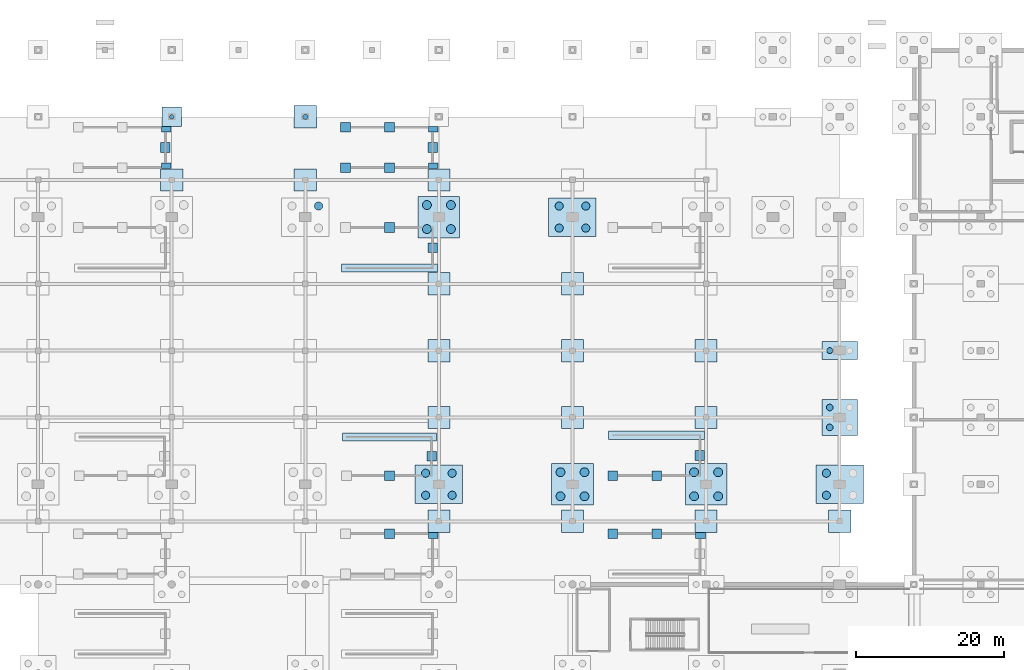
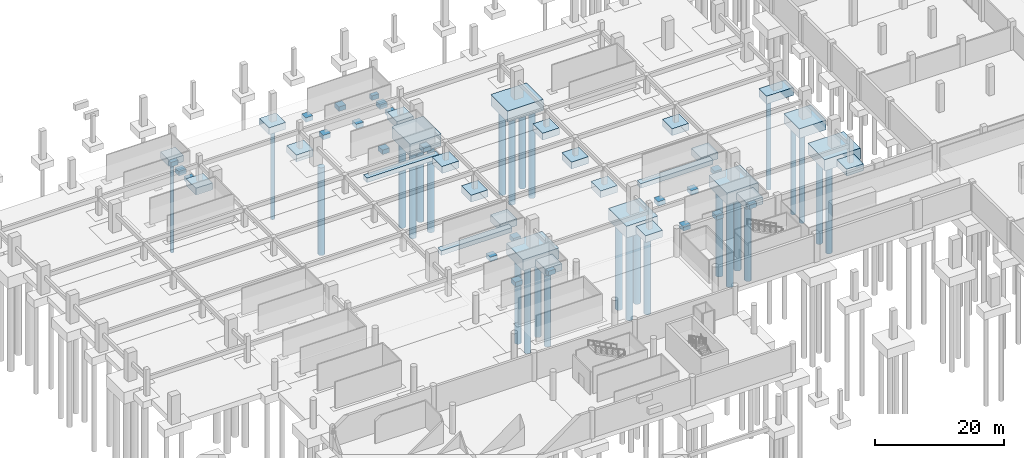
# One storey, part 4 of 26: 50 footings, 28 piles.
"""IFC4 building model written with IfcOpenShell, lengths in metres."""

from ifc_helpers import new_model, si_unit, direction, frame, origin, origin_2d, place, context, subcontext, project, spatial, polyline, circle, outline, extrude, material, material_profile, profile_set, type_object, element, save


model = new_model("IFC4")

# Units and contexts
model_context = context("Model", 3, precision=1e-05, world=origin(), true_north=direction((0.0, 1.0)))
body_context = subcontext(model_context, "Body", "Model", "MODEL_VIEW")
ifc_project = project(units=[si_unit("LENGTHUNIT", "METRE"), si_unit("AREAUNIT", "SQUARE_METRE"), si_unit("VOLUMEUNIT", "CUBIC_METRE"), si_unit("PLANEANGLEUNIT", "RADIAN"), si_unit("MASSUNIT", "GRAM", prefix="KILO")], contexts=[model_context])

# Site, building, storey
site_placement = place(None, origin())
site = spatial("IfcSite", under=ifc_project, at=site_placement, CompositionType="ELEMENT")
building_placement = place(site_placement, origin())
building = spatial("IfcBuilding", under=site, at=building_placement, Name="Chuanluo Vaults Station", CompositionType="ELEMENT")
storey_placement = place(building_placement, frame((0.0, 0.0, -5.39990234375)))
storey = spatial("IfcBuildingStorey", under=building, at=storey_placement, Name="B1", CompositionType="ELEMENT", Elevation=-5.39990234375)

# Footings
ifc_material_1 = material(Name="Concrete C40", Category="concrete")
footing_type_1 = type_object("IfcFootingType", Name="FTG-PAD-100", PredefinedType="PAD_FOOTING", material=ifc_material_1)
footing_1_placement = place(storey_placement, frame((0.0, 0.0, -0.85009765625)))
element("IfcFooting", 1, at=footing_1_placement, inside=storey, type_object=footing_type_1, Name="Stair shaft pad footing ST-08_R-1", PredefinedType="PAD_FOOTING", context=body_context, shape_type="SweptSolid", body=[
    extrude(outline(polyline([(70.60009765625, 60.199951171875), (71.89990234375, 60.199951171875), (71.89990234375, 60.97998046875), (70.60009765625, 60.97998046875), (70.60009765625, 60.199951171875)])), origin(), (0.0, 0.0, 1.0), 0.85009765625),
])
footing_2_placement = place(storey_placement, frame((0.0, 0.0, -0.85009765625)))
element("IfcFooting", 2, at=footing_2_placement, inside=storey, type_object=footing_type_1, Name="Stair shaft pad footing ST-08_R-2", PredefinedType="PAD_FOOTING", context=body_context, shape_type="SweptSolid", body=[
    extrude(outline(polyline([(64.6875, 60.199951171875), (65.987548828125, 60.199951171875), (65.987548828125, 61.5), (64.6875, 61.5), (64.6875, 60.199951171875)])), origin(), (0.0, 0.0, 1.0), 0.85009765625),
])
footing_3_placement = place(storey_placement, frame((0.0, 0.0, -0.85009765625)))
element("IfcFooting", 3, at=footing_3_placement, inside=storey, type_object=footing_type_1, Name="Stair shaft pad footing ST-09_R-1", PredefinedType="PAD_FOOTING", context=body_context, shape_type="SweptSolid", body=[
    extrude(outline(polyline([(106.60009765625, 60.199951171875), (107.89990234375, 60.199951171875), (107.89990234375, 60.97998046875), (106.60009765625, 60.97998046875), (106.60009765625, 60.199951171875)])), origin(), (0.0, 0.0, 1.0), 0.85009765625),
])
footing_4_placement = place(storey_placement, frame((0.0, 0.0, -0.85009765625)))
element("IfcFooting", 4, at=footing_4_placement, inside=storey, type_object=footing_type_1, Name="Stair shaft pad footing ST-09_R-2", PredefinedType="PAD_FOOTING", context=body_context, shape_type="SweptSolid", body=[
    extrude(outline(polyline([(100.6875, 60.199951171875), (101.987548828125, 60.199951171875), (101.987548828125, 61.5), (100.6875, 61.5), (100.6875, 60.199951171875)])), origin(), (0.0, 0.0, 1.0), 0.85009765625),
])
footing_5_placement = place(storey_placement, frame((0.0, 0.0, -0.85009765625)))
element("IfcFooting", 5, at=footing_5_placement, inside=storey, type_object=footing_type_1, Name="Stair shaft pad footing ST-09_R-3", PredefinedType="PAD_FOOTING", context=body_context, shape_type="SweptSolid", body=[
    extrude(outline(polyline([(94.77490234375, 60.199951171875), (96.074951171875, 60.199951171875), (96.074951171875, 61.5), (94.77490234375, 61.5), (94.77490234375, 60.199951171875)])), origin(), (0.0, 0.0, 1.0), 0.85009765625),
])
footing_6_placement = place(storey_placement, frame((0.0, 0.0, -0.85009765625)))
element("IfcFooting", 6, at=footing_6_placement, inside=storey, type_object=footing_type_1, Name="Stair shaft pad footing ST-11_L-2", PredefinedType="PAD_FOOTING", context=body_context, shape_type="SweptSolid", body=[
    extrude(outline(polyline([(64.6875, 68.0), (65.987548828125, 68.0), (65.987548828125, 69.300048828125), (64.6875, 69.300048828125), (64.6875, 68.0)])), origin(), (0.0, 0.0, 1.0), 0.85009765625),
])
footing_7_placement = place(storey_placement, frame((0.0, 0.0, -0.85009765625)))
element("IfcFooting", 7, at=footing_7_placement, inside=storey, type_object=footing_type_1, Name="Stair shaft pad footing ST-11_F-2", PredefinedType="PAD_FOOTING", context=body_context, shape_type="SweptSolid", body=[
    extrude(outline(polyline([(70.375, 70.60009765625), (71.675048828125, 70.60009765625), (71.675048828125, 71.89990234375), (70.375, 71.89990234375), (70.375, 70.60009765625)])), origin(), (0.0, 0.0, 1.0), 0.85009765625),
])
footing_8_placement = place(storey_placement, frame((0.0, 0.0, -0.85009765625)))
element("IfcFooting", 8, at=footing_8_placement, inside=storey, type_object=footing_type_1, Name="Stair shaft pad footing ST-12_L-1", PredefinedType="PAD_FOOTING", context=body_context, shape_type="SweptSolid", body=[
    extrude(outline(polyline([(94.77490234375, 68.0), (96.074951171875, 68.0), (96.074951171875, 69.300048828125), (94.77490234375, 69.300048828125), (94.77490234375, 68.0)])), origin(), (0.0, 0.0, 1.0), 0.85009765625),
])
footing_9_placement = place(storey_placement, frame((0.0, 0.0, -0.85009765625)))
element("IfcFooting", 9, at=footing_9_placement, inside=storey, type_object=footing_type_1, Name="Stair shaft pad footing ST-12_L-2", PredefinedType="PAD_FOOTING", context=body_context, shape_type="SweptSolid", body=[
    extrude(outline(polyline([(100.6875, 68.0), (101.987548828125, 68.0), (101.987548828125, 69.300048828125), (100.6875, 69.300048828125), (100.6875, 68.0)])), origin(), (0.0, 0.0, 1.0), 0.85009765625),
])
footing_10_placement = place(storey_placement, frame((0.0, 0.0, -0.85009765625)))
element("IfcFooting", 10, at=footing_10_placement, inside=storey, type_object=footing_type_1, Name="Stair shaft pad footing ST-12_F-2", PredefinedType="PAD_FOOTING", context=body_context, shape_type="SweptSolid", body=[
    extrude(outline(polyline([(106.5, 70.72509765625), (107.800048828125, 70.72509765625), (107.800048828125, 72.02490234375), (106.5, 72.02490234375), (106.5, 70.72509765625)])), origin(), (0.0, 0.0, 1.0), 0.85009765625),
])
footing_11_placement = place(storey_placement, frame((0.0, 0.0, -0.85009765625)))
element("IfcFooting", 11, at=footing_11_placement, inside=storey, type_object=footing_type_1, Name="Stair shaft pad footing ST-14_R-2", PredefinedType="PAD_FOOTING", context=body_context, shape_type="SweptSolid", body=[
    extrude(outline(polyline([(64.6875, 101.449951171875), (65.987548828125, 101.449951171875), (65.987548828125, 102.75), (64.6875, 102.75), (64.6875, 101.449951171875)])), origin(), (0.0, 0.0, 1.0), 0.85009765625),
])
footing_12_placement = place(storey_placement, frame((0.0, 0.0, -0.85009765625)))
element("IfcFooting", 12, at=footing_12_placement, inside=storey, type_object=footing_type_1, Name="Stair shaft pad footing ST-14_F-2", PredefinedType="PAD_FOOTING", context=body_context, shape_type="SweptSolid", body=[
    extrude(outline(polyline([(70.5, 98.72509765625), (71.800048828125, 98.72509765625), (71.800048828125, 100.02490234375), (70.5, 100.02490234375), (70.5, 98.72509765625)])), origin(), (0.0, 0.0, 1.0), 0.85009765625),
])
footing_13_placement = place(storey_placement, frame((0.0, 0.0, -0.85009765625)))
element("IfcFooting", 13, at=footing_13_placement, inside=storey, type_object=footing_type_1, Name="Stair shaft pad footing ST-16_L-3", PredefinedType="PAD_FOOTING", context=body_context, shape_type="SweptSolid", body=[
    extrude(outline(polyline([(34.60009765625, 110.02001953125), (35.89990234375, 110.02001953125), (35.89990234375, 110.800048828125), (34.60009765625, 110.800048828125), (34.60009765625, 110.02001953125)])), origin(), (0.0, 0.0, 1.0), 0.85009765625),
])
footing_14_placement = place(storey_placement, frame((0.0, 0.0, -0.85009765625)))
element("IfcFooting", 14, at=footing_14_placement, inside=storey, type_object=footing_type_1, Name="Stair shaft pad footing ST-16_R-1", PredefinedType="PAD_FOOTING", context=body_context, shape_type="SweptSolid", body=[
    extrude(outline(polyline([(34.60009765625, 114.949951171875), (35.89990234375, 114.949951171875), (35.89990234375, 115.679931640625), (34.60009765625, 115.679931640625), (34.60009765625, 114.949951171875)])), origin(), (0.0, 0.0, 1.0), 0.85009765625),
])
footing_15_placement = place(storey_placement, frame((0.0, 0.0, -0.85009765625)))
element("IfcFooting", 15, at=footing_15_placement, inside=storey, type_object=footing_type_1, Name="Stair shaft pad footing ST-16_F-2", PredefinedType="PAD_FOOTING", context=body_context, shape_type="SweptSolid", body=[
    extrude(outline(polyline([(34.5, 112.22509765625), (35.800048828125, 112.22509765625), (35.800048828125, 113.52490234375), (34.5, 113.52490234375), (34.5, 112.22509765625)])), origin(), (0.0, 0.0, 1.0), 0.85009765625),
])
footing_16_placement = place(storey_placement, frame((0.0, 0.0, -0.85009765625)))
element("IfcFooting", 16, at=footing_16_placement, inside=storey, type_object=footing_type_1, Name="Stair shaft pad footing ST-17_L-1", PredefinedType="PAD_FOOTING", context=body_context, shape_type="SweptSolid", body=[
    extrude(outline(polyline([(58.77490234375, 109.5), (60.074951171875, 109.5), (60.074951171875, 110.800048828125), (58.77490234375, 110.800048828125), (58.77490234375, 109.5)])), origin(), (0.0, 0.0, 1.0), 0.85009765625),
])
footing_17_placement = place(storey_placement, frame((0.0, 0.0, -0.85009765625)))
element("IfcFooting", 17, at=footing_17_placement, inside=storey, type_object=footing_type_1, Name="Stair shaft pad footing ST-17_L-2", PredefinedType="PAD_FOOTING", context=body_context, shape_type="SweptSolid", body=[
    extrude(outline(polyline([(64.6875, 109.5), (65.987548828125, 109.5), (65.987548828125, 110.800048828125), (64.6875, 110.800048828125), (64.6875, 109.5)])), origin(), (0.0, 0.0, 1.0), 0.85009765625),
])
footing_18_placement = place(storey_placement, frame((0.0, 0.0, -0.85009765625)))
element("IfcFooting", 18, at=footing_18_placement, inside=storey, type_object=footing_type_1, Name="Stair shaft pad footing ST-17_L-3", PredefinedType="PAD_FOOTING", context=body_context, shape_type="SweptSolid", body=[
    extrude(outline(polyline([(70.60009765625, 110.02001953125), (71.89990234375, 110.02001953125), (71.89990234375, 110.800048828125), (70.60009765625, 110.800048828125), (70.60009765625, 110.02001953125)])), origin(), (0.0, 0.0, 1.0), 0.85009765625),
])
footing_19_placement = place(storey_placement, frame((0.0, 0.0, -0.85009765625)))
element("IfcFooting", 19, at=footing_19_placement, inside=storey, type_object=footing_type_1, Name="Stair shaft pad footing ST-17_R-1", PredefinedType="PAD_FOOTING", context=body_context, shape_type="SweptSolid", body=[
    extrude(outline(polyline([(70.60009765625, 114.949951171875), (71.89990234375, 114.949951171875), (71.89990234375, 115.679931640625), (70.60009765625, 115.679931640625), (70.60009765625, 114.949951171875)])), origin(), (0.0, 0.0, 1.0), 0.85009765625),
])
footing_20_placement = place(storey_placement, frame((0.0, 0.0, -0.85009765625)))
element("IfcFooting", 20, at=footing_20_placement, inside=storey, type_object=footing_type_1, Name="Stair shaft pad footing ST-17_R-2", PredefinedType="PAD_FOOTING", context=body_context, shape_type="SweptSolid", body=[
    extrude(outline(polyline([(64.6875, 114.949951171875), (65.987548828125, 114.949951171875), (65.987548828125, 116.25), (64.6875, 116.25), (64.6875, 114.949951171875)])), origin(), (0.0, 0.0, 1.0), 0.85009765625),
])
footing_21_placement = place(storey_placement, frame((0.0, 0.0, -0.85009765625)))
element("IfcFooting", 21, at=footing_21_placement, inside=storey, type_object=footing_type_1, Name="Stair shaft pad footing ST-17_R-3", PredefinedType="PAD_FOOTING", context=body_context, shape_type="SweptSolid", body=[
    extrude(outline(polyline([(58.77490234375, 114.949951171875), (60.074951171875, 114.949951171875), (60.074951171875, 116.25), (58.77490234375, 116.25), (58.77490234375, 114.949951171875)])), origin(), (0.0, 0.0, 1.0), 0.85009765625),
])
footing_22_placement = place(storey_placement, frame((0.0, 0.0, -0.85009765625)))
element("IfcFooting", 22, at=footing_22_placement, inside=storey, type_object=footing_type_1, Name="Stair shaft pad footing ST-17_F-2", PredefinedType="PAD_FOOTING", context=body_context, shape_type="SweptSolid", body=[
    extrude(outline(polyline([(70.5, 112.22509765625), (71.800048828125, 112.22509765625), (71.800048828125, 113.52490234375), (70.5, 113.52490234375), (70.5, 112.22509765625)])), origin(), (0.0, 0.0, 1.0), 0.85009765625),
])
ifc_material_2 = material(Name="Concrete C40", Category="concrete")
footing_type_2 = type_object("IfcFootingType", Name="FTG-PC-1", PredefinedType="PILE_CAP", material=ifc_material_2)
footing_23_placement = place(storey_placement, frame((0.0, 0.0, -2.2001953125)))
element("IfcFooting", 23, at=footing_23_placement, inside=storey, type_object=footing_type_2, Name="Pile cap PC-050", PredefinedType="PILE_CAP", context=body_context, shape_type="SweptSolid", body=[
    extrude(outline(polyline([(69.199951171875, 100.699951171875), (74.800048828125, 100.699951171875), (74.800048828125, 106.300048828125), (69.199951171875, 106.300048828125), (69.199951171875, 100.699951171875)])), origin(), (0.0, 0.0, 1.0), 2.2001953125),
])
footing_24_placement = place(storey_placement, frame((0.0, 0.0, -2.2001953125)))
element("IfcFooting", 24, at=footing_24_placement, inside=storey, type_object=footing_type_2, Name="Pile cap PC-058", PredefinedType="PILE_CAP", context=body_context, shape_type="SweptSolid", body=[
    extrude(outline(polyline([(87.199951171875, 64.699951171875), (92.800048828125, 64.699951171875), (92.800048828125, 70.300048828125), (87.199951171875, 70.300048828125), (87.199951171875, 64.699951171875)])), origin(), (0.0, 0.0, 1.0), 2.2001953125),
])
footing_25_placement = place(storey_placement, frame((0.0, 0.0, -2.2001953125)))
element("IfcFooting", 25, at=footing_25_placement, inside=storey, type_object=footing_type_2, Name="Pile cap PC-066", PredefinedType="PILE_CAP", context=body_context, shape_type="SweptSolid", body=[
    extrude(outline(polyline([(105.199951171875, 64.699951171875), (110.800048828125, 64.699951171875), (110.800048828125, 70.300048828125), (105.199951171875, 70.300048828125), (105.199951171875, 64.699951171875)])), origin(), (0.0, 0.0, 1.0), 2.2001953125),
])
ifc_material_3 = material(Name="Concrete C40", Category="concrete")
footing_type_3 = type_object("IfcFootingType", Name="FTG-PC-2", PredefinedType="PILE_CAP", material=ifc_material_3)
footing_26_placement = place(storey_placement, frame((0.0, 0.0, -1.800048828125)))
element("IfcFooting", 26, at=footing_26_placement, inside=storey, type_object=footing_type_3, Name="Pile cap PC-078", PredefinedType="PILE_CAP", context=body_context, shape_type="SweptSolid", body=[
    extrude(outline(polyline([(123.60009765625, 74.10009765625), (128.39990234375, 74.10009765625), (128.39990234375, 78.89990234375), (123.60009765625, 78.89990234375), (123.60009765625, 74.10009765625)])), origin(), (0.0, 0.0, 1.0), 1.800048828125),
])
ifc_material_4 = material(Name="Concrete C40", Category="concrete")
footing_type_4 = type_object("IfcFootingType", Name="FTG-PC-5", PredefinedType="PILE_CAP", material=ifc_material_4)
footing_27_placement = place(storey_placement, frame((0.0, 0.0, -1.300048828125)))
element("IfcFooting", 27, at=footing_27_placement, inside=storey, type_object=footing_type_4, Name="Pile cap PC-042", PredefinedType="PILE_CAP", context=body_context, shape_type="SweptSolid", body=[
    extrude(outline(polyline([(52.5, 115.5), (55.5, 115.5), (55.5, 118.5), (52.5, 118.5), (52.5, 115.5)])), origin(), (0.0, 0.0, 1.0), 1.300048828125),
])
footing_28_placement = place(storey_placement, frame((0.0, 0.0, -1.300048828125)))
element("IfcFooting", 28, at=footing_28_placement, inside=storey, type_object=footing_type_4, Name="Platform pier footing TRK-009", PredefinedType="PILE_CAP", context=body_context, shape_type="SweptSolid", body=[
    extrude(outline(polyline([(70.5, 61.0), (73.5, 61.0), (73.5, 64.0), (70.5, 64.0), (70.5, 61.0)])), origin(), (0.0, 0.0, 1.0), 1.300048828125),
])
footing_29_placement = place(storey_placement, frame((0.0, 0.0, -1.300048828125)))
element("IfcFooting", 29, at=footing_29_placement, inside=storey, type_object=footing_type_4, Name="Platform pier footing TRK-011", PredefinedType="PILE_CAP", context=body_context, shape_type="SweptSolid", body=[
    extrude(outline(polyline([(88.5, 61.0), (91.5, 61.0), (91.5, 64.0), (88.5, 64.0), (88.5, 61.0)])), origin(), (0.0, 0.0, 1.0), 1.300048828125),
])
footing_30_placement = place(storey_placement, frame((0.0, 0.0, -1.300048828125)))
element("IfcFooting", 30, at=footing_30_placement, inside=storey, type_object=footing_type_4, Name="Platform pier footing TRK-013", PredefinedType="PILE_CAP", context=body_context, shape_type="SweptSolid", body=[
    extrude(outline(polyline([(106.5, 61.0), (109.5, 61.0), (109.5, 64.0), (106.5, 64.0), (106.5, 61.0)])), origin(), (0.0, 0.0, 1.0), 1.300048828125),
])
footing_31_placement = place(storey_placement, frame((0.0, 0.0, -1.300048828125)))
element("IfcFooting", 31, at=footing_31_placement, inside=storey, type_object=footing_type_4, Name="Platform pier footing TRK-015", PredefinedType="PILE_CAP", context=body_context, shape_type="SweptSolid", body=[
    extrude(outline(polyline([(124.5, 61.0), (127.5, 61.0), (127.5, 64.0), (124.5, 64.0), (124.5, 61.0)])), origin(), (0.0, 0.0, 1.0), 1.300048828125),
])
footing_32_placement = place(storey_placement, frame((0.0, 0.0, -1.300048828125)))
element("IfcFooting", 32, at=footing_32_placement, inside=storey, type_object=footing_type_4, Name="Platform pier footing TRK-023", PredefinedType="PILE_CAP", context=body_context, shape_type="SweptSolid", body=[
    extrude(outline(polyline([(70.5, 75.0), (73.5, 75.0), (73.5, 78.0), (70.5, 78.0), (70.5, 75.0)])), origin(), (0.0, 0.0, 1.0), 1.300048828125),
])
footing_33_placement = place(storey_placement, frame((0.0, 0.0, -1.300048828125)))
element("IfcFooting", 33, at=footing_33_placement, inside=storey, type_object=footing_type_4, Name="Platform pier footing TRK-025", PredefinedType="PILE_CAP", context=body_context, shape_type="SweptSolid", body=[
    extrude(outline(polyline([(88.5, 75.0), (91.5, 75.0), (91.5, 78.0), (88.5, 78.0), (88.5, 75.0)])), origin(), (0.0, 0.0, 1.0), 1.300048828125),
])
footing_34_placement = place(storey_placement, frame((0.0, 0.0, -1.300048828125)))
element("IfcFooting", 34, at=footing_34_placement, inside=storey, type_object=footing_type_4, Name="Platform pier footing TRK-027", PredefinedType="PILE_CAP", context=body_context, shape_type="SweptSolid", body=[
    extrude(outline(polyline([(106.5, 75.0), (109.5, 75.0), (109.5, 78.0), (106.5, 78.0), (106.5, 75.0)])), origin(), (0.0, 0.0, 1.0), 1.300048828125),
])
footing_35_placement = place(storey_placement, frame((0.0, 0.0, -1.300048828125)))
element("IfcFooting", 35, at=footing_35_placement, inside=storey, type_object=footing_type_4, Name="Platform pier footing TRK-035", PredefinedType="PILE_CAP", context=body_context, shape_type="SweptSolid", body=[
    extrude(outline(polyline([(70.5, 84.0), (73.5, 84.0), (73.5, 87.0), (70.5, 87.0), (70.5, 84.0)])), origin(), (0.0, 0.0, 1.0), 1.300048828125),
])
footing_36_placement = place(storey_placement, frame((0.0, 0.0, -1.300048828125)))
element("IfcFooting", 36, at=footing_36_placement, inside=storey, type_object=footing_type_4, Name="Platform pier footing TRK-037", PredefinedType="PILE_CAP", context=body_context, shape_type="SweptSolid", body=[
    extrude(outline(polyline([(88.5, 84.0), (91.5, 84.0), (91.5, 87.0), (88.5, 87.0), (88.5, 84.0)])), origin(), (0.0, 0.0, 1.0), 1.300048828125),
])
footing_37_placement = place(storey_placement, frame((0.0, 0.0, -1.300048828125)))
element("IfcFooting", 37, at=footing_37_placement, inside=storey, type_object=footing_type_4, Name="Platform pier footing TRK-039", PredefinedType="PILE_CAP", context=body_context, shape_type="SweptSolid", body=[
    extrude(outline(polyline([(106.5, 84.0), (109.5, 84.0), (109.5, 87.0), (106.5, 87.0), (106.5, 84.0)])), origin(), (0.0, 0.0, 1.0), 1.300048828125),
])
footing_38_placement = place(storey_placement, frame((0.0, 0.0, -1.300048828125)))
element("IfcFooting", 38, at=footing_38_placement, inside=storey, type_object=footing_type_4, Name="Platform pier footing TRK-047", PredefinedType="PILE_CAP", context=body_context, shape_type="SweptSolid", body=[
    extrude(outline(polyline([(70.5, 93.0), (73.5, 93.0), (73.5, 96.0), (70.5, 96.0), (70.5, 93.0)])), origin(), (0.0, 0.0, 1.0), 1.300048828125),
])
footing_39_placement = place(storey_placement, frame((0.0, 0.0, -1.300048828125)))
element("IfcFooting", 39, at=footing_39_placement, inside=storey, type_object=footing_type_4, Name="Platform pier footing TRK-049", PredefinedType="PILE_CAP", context=body_context, shape_type="SweptSolid", body=[
    extrude(outline(polyline([(88.5, 93.0), (91.5, 93.0), (91.5, 96.0), (88.5, 96.0), (88.5, 93.0)])), origin(), (0.0, 0.0, 1.0), 1.300048828125),
])
footing_40_placement = place(storey_placement, frame((0.0, 0.0, -1.300048828125)))
element("IfcFooting", 40, at=footing_40_placement, inside=storey, type_object=footing_type_4, Name="Platform pier footing TRK-057", PredefinedType="PILE_CAP", context=body_context, shape_type="SweptSolid", body=[
    extrude(outline(polyline([(34.5, 107.0), (37.5, 107.0), (37.5, 110.0), (34.5, 110.0), (34.5, 107.0)])), origin(), (0.0, 0.0, 1.0), 1.300048828125),
])
footing_41_placement = place(storey_placement, frame((0.0, 0.0, -1.300048828125)))
element("IfcFooting", 41, at=footing_41_placement, inside=storey, type_object=footing_type_4, Name="Platform pier footing TRK-059", PredefinedType="PILE_CAP", context=body_context, shape_type="SweptSolid", body=[
    extrude(outline(polyline([(52.5, 107.0), (55.5, 107.0), (55.5, 110.0), (52.5, 110.0), (52.5, 107.0)])), origin(), (0.0, 0.0, 1.0), 1.300048828125),
])
footing_42_placement = place(storey_placement, frame((0.0, 0.0, -1.300048828125)))
element("IfcFooting", 42, at=footing_42_placement, inside=storey, type_object=footing_type_4, Name="Platform pier footing TRK-061", PredefinedType="PILE_CAP", context=body_context, shape_type="SweptSolid", body=[
    extrude(outline(polyline([(70.5, 107.0), (73.5, 107.0), (73.5, 110.0), (70.5, 110.0), (70.5, 107.0)])), origin(), (0.0, 0.0, 1.0), 1.300048828125),
])
ifc_material_5 = material(Name="Concrete C40", Category="concrete")
footing_type_5 = type_object("IfcFootingType", Name="FTG-PC-6", PredefinedType="PILE_CAP", material=ifc_material_5)
footing_43_placement = place(storey_placement, frame((0.0, 0.0, -1.2001953125)))
element("IfcFooting", 43, at=footing_43_placement, inside=storey, type_object=footing_type_5, Name="Pile cap PC-033", PredefinedType="PILE_CAP", context=body_context, shape_type="SweptSolid", body=[
    extrude(outline(polyline([(34.699951171875, 115.699951171875), (37.300048828125, 115.699951171875), (37.300048828125, 118.300048828125), (34.699951171875, 118.300048828125), (34.699951171875, 115.699951171875)])), origin(), (0.0, 0.0, 1.0), 1.2001953125),
])
ifc_material_6 = material(Name="Concrete C40", Category="concrete")
footing_type_6 = type_object("IfcFootingType", Name="FTG-PC-7", PredefinedType="PILE_CAP", material=ifc_material_6)
footing_44_placement = place(storey_placement, frame((0.0, 0.0, -1.5)))
element("IfcFooting", 44, at=footing_44_placement, inside=storey, type_object=footing_type_6, Name="Pile cap PC-079", PredefinedType="PILE_CAP", context=body_context, shape_type="SweptSolid", body=[
    extrude(outline(polyline([(123.60009765625, 84.300048828125), (128.39990234375, 84.300048828125), (128.39990234375, 86.699951171875), (123.60009765625, 86.699951171875), (123.60009765625, 84.300048828125)])), origin(), (0.0, 0.0, 1.0), 1.5),
])
ifc_material_7 = material(Name="Concrete C40", Category="concrete")
footing_type_7 = type_object("IfcFootingType", Name="FTG-PC-9", PredefinedType="PILE_CAP", material=ifc_material_7)
footing_45_placement = place(storey_placement, frame((0.0, 0.0, -2.10009765625)))
element("IfcFooting", 45, at=footing_45_placement, inside=storey, type_object=footing_type_7, Name="Pile cap PC-049", PredefinedType="PILE_CAP", context=body_context, shape_type="SweptSolid", body=[
    extrude(outline(polyline([(68.800048828125, 64.89990234375), (75.199951171875, 64.89990234375), (75.199951171875, 70.10009765625), (68.800048828125, 70.10009765625), (68.800048828125, 64.89990234375)])), origin(), (0.0, 0.0, 1.0), 2.10009765625),
])
footing_46_placement = place(storey_placement, frame((0.0, 0.0, -2.10009765625)))
element("IfcFooting", 46, at=footing_46_placement, inside=storey, type_object=footing_type_7, Name="Pile cap PC-059", PredefinedType="PILE_CAP", context=body_context, shape_type="SweptSolid", body=[
    extrude(outline(polyline([(86.800048828125, 100.89990234375), (93.199951171875, 100.89990234375), (93.199951171875, 106.10009765625), (86.800048828125, 106.10009765625), (86.800048828125, 100.89990234375)])), origin(), (0.0, 0.0, 1.0), 2.10009765625),
])
footing_47_placement = place(storey_placement, frame((0.0, 0.0, -2.10009765625)))
element("IfcFooting", 47, at=footing_47_placement, inside=storey, type_object=footing_type_7, Name="Pile cap PC-077", PredefinedType="PILE_CAP", context=body_context, shape_type="SweptSolid", body=[
    extrude(outline(polyline([(122.800048828125, 64.89990234375), (129.199951171875, 64.89990234375), (129.199951171875, 70.10009765625), (122.800048828125, 70.10009765625), (122.800048828125, 64.89990234375)])), origin(), (0.0, 0.0, 1.0), 2.10009765625),
])
ifc_material_8 = material(Name="Concrete C40", Category="concrete")
footing_type_8 = type_object("IfcFootingType", Name="FTG-SF-3", PredefinedType="STRIP_FOOTING", material=ifc_material_8)
footing_48_placement = place(storey_placement, frame((0.0, 0.0, -0.85009765625)))
element("IfcFooting", 48, at=footing_48_placement, inside=storey, type_object=footing_type_8, Name="Stair shaft strip footing ST-11_R", PredefinedType="STRIP_FOOTING", context=body_context, shape_type="SweptSolid", body=[
    extrude(outline(polyline([(59.0, 73.300048828125), (71.675048828125, 73.300048828125), (71.675048828125, 74.39990234375), (59.0, 74.39990234375), (59.0, 73.300048828125)])), origin(), (0.0, 0.0, 1.0), 0.85009765625),
])
footing_49_placement = place(storey_placement, frame((0.0, 0.0, -0.85009765625)))
element("IfcFooting", 49, at=footing_49_placement, inside=storey, type_object=footing_type_8, Name="Stair shaft strip footing ST-12_R", PredefinedType="STRIP_FOOTING", context=body_context, shape_type="SweptSolid", body=[
    extrude(outline(polyline([(94.875, 73.550048828125), (107.800048828125, 73.550048828125), (107.800048828125, 74.64990234375), (94.875, 74.64990234375), (94.875, 73.550048828125)])), origin(), (0.0, 0.0, 1.0), 0.85009765625),
])
footing_50_placement = place(storey_placement, frame((0.0, 0.0, -0.85009765625)))
element("IfcFooting", 50, at=footing_50_placement, inside=storey, type_object=footing_type_8, Name="Stair shaft strip footing ST-14_L", PredefinedType="STRIP_FOOTING", context=body_context, shape_type="SweptSolid", body=[
    extrude(outline(polyline([(58.875, 96.10009765625), (71.800048828125, 96.10009765625), (71.800048828125, 97.199951171875), (58.875, 97.199951171875), (58.875, 96.10009765625)])), origin(), (0.0, 0.0, 1.0), 0.85009765625),
])

# Piles
ifc_material_9 = material(Name="Concrete C40", Category="concrete")
ifc_material_profile_1 = material_profile(ifc_material_9, circle(Radius=0.550048828125, at=origin_2d()))
ifc_profile_set_1 = profile_set([ifc_material_profile_1], Name="Concrete C40")
pile_type_1 = type_object("IfcPileType", Name="PIL-1100", PredefinedType="BORED", material=ifc_profile_set_1)
for number, where, z_axis, x_axis, name in (
    (51, (55.7919921875, 104.985107421875, -1.97998046875), (0.0, 0.0, -1.0), (1.0, 0.0, 0.0), "Rock-socketed bored pile 108"),
    (52, (70.2080078125, 66.014892578125, -1.97998046875), (0.0, 0.0, -1.0), (1.0, 0.0, 0.0), "Rock-socketed bored pile 127"),
    (53, (73.7919921875, 66.014892578125, -1.97998046875), (0.0, 0.0, -1.0), (1.0, 0.0, 0.0), "Rock-socketed bored pile 128"),
    (54, (70.2080078125, 68.985107421875, -1.97998046875), (0.0, 0.0, -1.0), (1.0, 0.0, 0.0), "Rock-socketed bored pile 129"),
    (55, (73.7919921875, 68.985107421875, -1.97998046875), (0.0, 0.0, -1.0), (1.0, 0.0, 0.0), "Rock-socketed bored pile 130"),
    (56, (88.2080078125, 102.014892578125, -1.97998046875), (0.0, 0.0, -1.0), (1.0, 0.0, 0.0), "Rock-socketed bored pile 155"),
    (57, (91.7919921875, 102.014892578125, -1.97998046875), (0.0, 0.0, -1.0), (1.0, 0.0, 0.0), "Rock-socketed bored pile 156"),
    (58, (88.2080078125, 104.985107421875, -1.97998046875), (0.0, 0.0, -1.0), (1.0, 0.0, 0.0), "Rock-socketed bored pile 157"),
    (59, (91.7919921875, 104.985107421875, -1.97998046875), (0.0, 0.0, -1.0), (1.0, 0.0, 0.0), "Rock-socketed bored pile 158"),
    (60, (124.2080078125, 66.014892578125, -1.97998046875), (0.0, 0.0, -1.0), (1.0, 0.0, 0.0), "Rock-socketed bored pile 205"),
    (61, (124.2080078125, 68.985107421875, -1.97998046875), (0.0, 0.0, -1.0), (1.0, 0.0, 0.0), "Rock-socketed bored pile 207"),
):
    element("IfcPile", number, at=place(storey_placement, frame(where, z_axis=z_axis, x_axis=x_axis)), inside=storey, type_object=pile_type_1, Name=name, PredefinedType="BORED", context=body_context, shape_type="SweptSolid", body=[
        extrude(circle(Radius=0.550048828125, at=origin_2d()), origin(), (0.0, 0.0, 1.0), 16.6201171875),
    ])
ifc_material_10 = material(Name="Concrete C40", Category="concrete")
ifc_material_profile_2 = material_profile(ifc_material_10, circle(Radius=0.60009765625, at=origin_2d()))
ifc_profile_set_2 = profile_set([ifc_material_profile_2], Name="Concrete C40")
pile_type_2 = type_object("IfcPileType", Name="PIL-1200", PredefinedType="BORED", material=ifc_profile_set_2)
for number, where, z_axis, x_axis, name in (
    (62, (70.3798828125, 101.8798828125, -2.080078125), (0.0, 0.0, -1.0), (1.0, 0.0, 0.0), "Rock-socketed bored pile 131"),
    (63, (73.6201171875, 101.8798828125, -2.080078125), (0.0, 0.0, -1.0), (1.0, 0.0, 0.0), "Rock-socketed bored pile 132"),
    (64, (70.3798828125, 105.1201171875, -2.080078125), (0.0, 0.0, -1.0), (1.0, 0.0, 0.0), "Rock-socketed bored pile 133"),
    (65, (73.6201171875, 105.1201171875, -2.080078125), (0.0, 0.0, -1.0), (1.0, 0.0, 0.0), "Rock-socketed bored pile 134"),
    (66, (88.3798828125, 65.8798828125, -2.080078125), (0.0, 0.0, -1.0), (1.0, 0.0, 0.0), "Rock-socketed bored pile 151"),
    (67, (91.6201171875, 65.8798828125, -2.080078125), (0.0, 0.0, -1.0), (1.0, 0.0, 0.0), "Rock-socketed bored pile 152"),
    (68, (88.3798828125, 69.1201171875, -2.080078125), (0.0, 0.0, -1.0), (1.0, 0.0, 0.0), "Rock-socketed bored pile 153"),
    (69, (91.6201171875, 69.1201171875, -2.080078125), (0.0, 0.0, -1.0), (1.0, 0.0, 0.0), "Rock-socketed bored pile 154"),
    (70, (106.3798828125, 65.8798828125, -2.080078125), (0.0, 0.0, -1.0), (1.0, 0.0, 0.0), "Rock-socketed bored pile 173"),
    (71, (109.6201171875, 65.8798828125, -2.080078125), (0.0, 0.0, -1.0), (1.0, 0.0, 0.0), "Rock-socketed bored pile 174"),
    (72, (106.3798828125, 69.1201171875, -2.080078125), (0.0, 0.0, -1.0), (1.0, 0.0, 0.0), "Rock-socketed bored pile 175"),
    (73, (109.6201171875, 69.1201171875, -2.080078125), (0.0, 0.0, -1.0), (1.0, 0.0, 0.0), "Rock-socketed bored pile 176"),
):
    element("IfcPile", number, at=place(storey_placement, frame(where, z_axis=z_axis, x_axis=x_axis)), inside=storey, type_object=pile_type_2, Name=name, PredefinedType="BORED", context=body_context, shape_type="SweptSolid", body=[
        extrude(circle(Radius=0.60009765625, at=origin_2d()), origin(), (0.0, 0.0, 1.0), 16.52001953125),
    ])
ifc_material_11 = material(Name="Concrete C40", Category="concrete")
ifc_material_profile_3 = material_profile(ifc_material_11, circle(Radius=0.300048828125, at=origin_2d()))
ifc_profile_set_3 = profile_set([ifc_material_profile_3], Name="Concrete C40")
pile_type_3 = type_object("IfcPileType", Name="PIL-600", PredefinedType="BORED", material=ifc_profile_set_3)
pile_1_placement = place(storey_placement, frame((36.0, 117.0, -1.080078125), z_axis=(0.0, 0.0, -1.0), x_axis=(1.0, 0.0, 0.0)))
element("IfcPile", 74, at=pile_1_placement, inside=storey, type_object=pile_type_3, Name="Rock-socketed bored pile 085", PredefinedType="BORED", context=body_context, shape_type="SweptSolid", body=[
    extrude(circle(Radius=0.300048828125, at=origin_2d()), origin(), (0.0, 0.0, 1.0), 17.52001953125),
])
ifc_material_12 = material(Name="Concrete C40", Category="concrete")
ifc_material_profile_4 = material_profile(ifc_material_12, circle(Radius=0.35009765625, at=origin_2d()))
ifc_profile_set_4 = profile_set([ifc_material_profile_4], Name="Concrete C40")
pile_type_4 = type_object("IfcPileType", Name="PIL-700", PredefinedType="BORED", material=ifc_profile_set_4)
pile_2_placement = place(storey_placement, frame((54.0, 117.0, -1.18017578125), z_axis=(0.0, 0.0, -1.0), x_axis=(1.0, 0.0, 0.0)))
element("IfcPile", 75, at=pile_2_placement, inside=storey, type_object=pile_type_4, Name="Rock-socketed bored pile 109", PredefinedType="BORED", context=body_context, shape_type="SweptSolid", body=[
    extrude(circle(Radius=0.35009765625, at=origin_2d()), origin(), (0.0, 0.0, 1.0), 17.419921875),
])
ifc_material_13 = material(Name="Concrete C40", Category="concrete")
ifc_material_profile_5 = material_profile(ifc_material_13, circle(Radius=0.39990234375, at=origin_2d()))
ifc_profile_set_5 = profile_set([ifc_material_profile_5], Name="Concrete C40")
pile_type_5 = type_object("IfcPileType", Name="PIL-800", PredefinedType="BORED", material=ifc_profile_set_5)
pile_3_placement = place(storey_placement, frame((124.656005859375, 85.5, -1.380126953125), z_axis=(0.0, 0.0, -1.0), x_axis=(1.0, 0.0, 0.0)))
element("IfcPile", 76, at=pile_3_placement, inside=storey, type_object=pile_type_5, Name="Rock-socketed bored pile 213", PredefinedType="BORED", context=body_context, shape_type="SweptSolid", body=[
    extrude(circle(Radius=0.39990234375, at=origin_2d()), origin(), (0.0, 0.0, 1.0), 17.219970703125),
])
ifc_material_14 = material(Name="Concrete C40", Category="concrete")
ifc_material_profile_6 = material_profile(ifc_material_14, circle(Radius=0.449951171875, at=origin_2d()))
ifc_profile_set_6 = profile_set([ifc_material_profile_6], Name="Concrete C40")
pile_type_6 = type_object("IfcPileType", Name="PIL-900", PredefinedType="BORED", material=ifc_profile_set_6)
for number, where, z_axis, x_axis, name in (
    (77, (124.656005859375, 75.156005859375, -1.68017578125), (0.0, 0.0, -1.0), (1.0, 0.0, 0.0), "Rock-socketed bored pile 209"),
    (78, (124.656005859375, 77.843994140625, -1.68017578125), (0.0, 0.0, -1.0), (1.0, 0.0, 0.0), "Rock-socketed bored pile 211"),
):
    element("IfcPile", number, at=place(storey_placement, frame(where, z_axis=z_axis, x_axis=x_axis)), inside=storey, type_object=pile_type_6, Name=name, PredefinedType="BORED", context=body_context, shape_type="SweptSolid", body=[
        extrude(circle(Radius=0.449951171875, at=origin_2d()), origin(), (0.0, 0.0, 1.0), 16.919921875),
    ])

save(model, "model.ifc")
